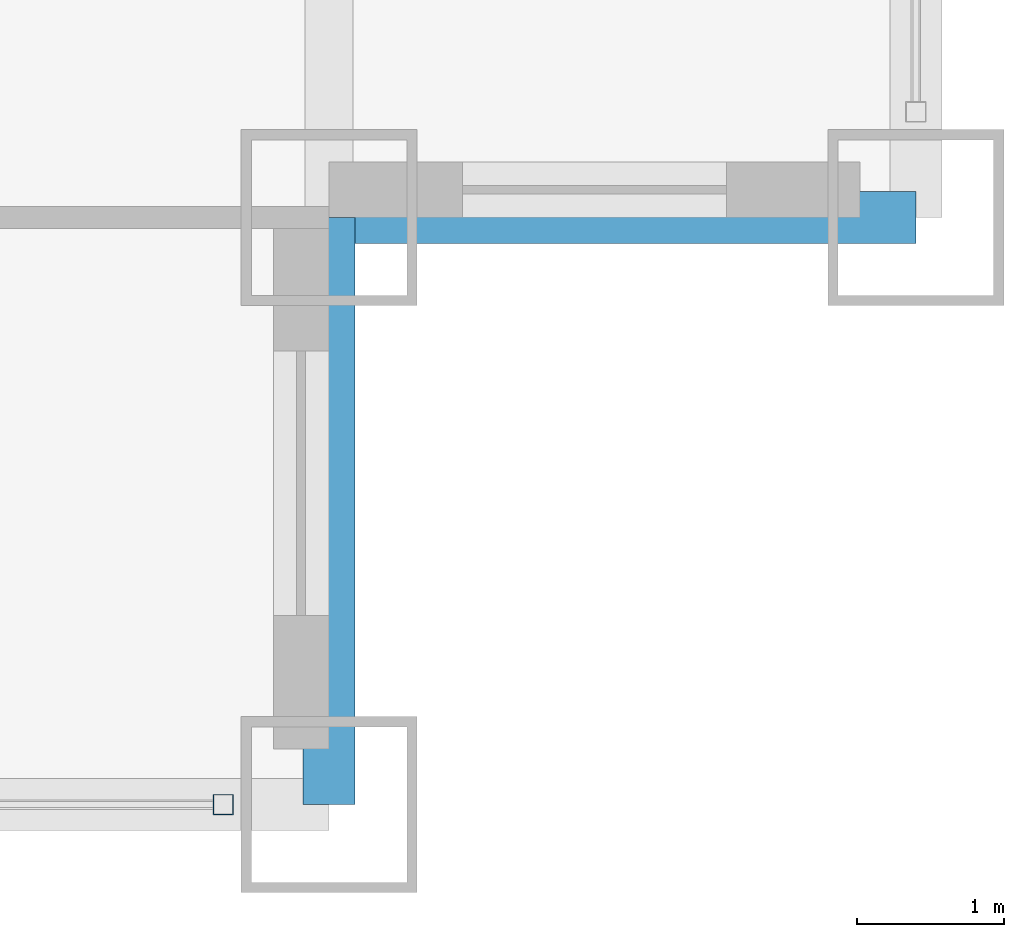
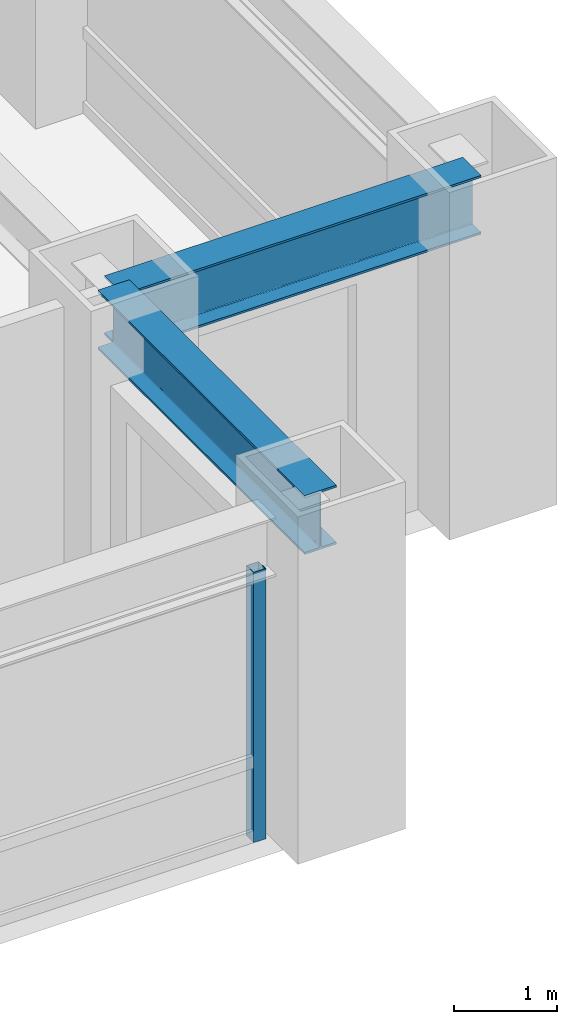
# One storey, part 6 of 27: 2 beams, 1 member, 1 element without a shape of its own.
"""IFC4 building model written with IfcOpenShell, lengths in metres."""

from ifc_helpers import new_model, si_unit, direction, frame, origin, origin_2d, place, context, subcontext, project, spatial, hollow_rectangle, i_section, extrude, source, transform, mapped, material, material_profile, profile_set, type_object, element, aggregate, save


model = new_model("IFC4")

# Units and contexts
model_context = context("Model", 3, precision=1e-05, world=origin(), true_north=direction((0.0, 1.0)))
body_context = subcontext(model_context, "Body", "Model", "MODEL_VIEW")
ifc_project = project(units=[si_unit("LENGTHUNIT", "METRE"), si_unit("AREAUNIT", "SQUARE_METRE"), si_unit("VOLUMEUNIT", "CUBIC_METRE"), si_unit("PLANEANGLEUNIT", "RADIAN"), si_unit("MASSUNIT", "GRAM", prefix="KILO")], contexts=[model_context])

# Site, building, storey
site_placement = place(None, origin())
site = spatial("IfcSite", under=ifc_project, at=site_placement, CompositionType="ELEMENT")
building_placement = place(site_placement, origin())
building = spatial("IfcBuilding", under=site, at=building_placement, Name="Khorayat Bourse Tower", CompositionType="ELEMENT")
storey_placement = place(building_placement, frame((0.0, 0.0, 140.60009765625)))
storey = spatial("IfcBuildingStorey", under=building, at=storey_placement, Name="L32", CompositionType="ELEMENT", Elevation=140.60009765625)

# Beams
ifc_material_1 = material(Name="Steel ASTM A992 Grade 50", Category="steel")
ifc_material_profile_1 = material_profile(ifc_material_1, i_section(OverallWidth=0.35498046875, OverallDepth=0.695068359375, WebThickness=0.015380859375, FlangeThickness=0.02490234375, FilletRadius=0.01806640625, at=origin_2d()), Name="W690X217")
ifc_profile_set_1 = profile_set([ifc_material_profile_1], Name="Steel ASTM A992 Grade 50")
beam_type = type_object("IfcBeamType", Name="BM-SPAN-690", PredefinedType="SPANDREL", material=ifc_profile_set_1)
shared_shape_1 = source(origin(), body_context, "Body", "SweptSolid", [
    extrude(i_section(OverallWidth=0.35498046875, OverallDepth=0.695068359375, WebThickness=0.015380859375, FlangeThickness=0.02490234375, FilletRadius=0.01806640625, at=origin_2d()), origin(), (0.0, 0.0, 1.0), 4.0),
])
for number, where, z_axis, x_axis, name in (
    (1, (28.0, -32.0, 3.492431640625), (0.0, 1.0, 0.0), (-1.0, 0.0, 0.0), "L32 BM-SPAN-690 BM-L32-SPN-032"),
    (2, (28.0, -28.0, 3.492431640625), (1.0, 0.0, 0.0), (0.0, 1.0, 0.0), "L32 BM-SPAN-690 BM-L32-SPN-033"),
):
    element("IfcBeam", number, at=place(storey_placement, frame(where, z_axis=z_axis, x_axis=x_axis)), inside=storey, type_object=beam_type, Name=name, PredefinedType="SPANDREL", context=body_context, shape_type="MappedRepresentation", body=[
        mapped(shared_shape_1, transform((0.0, 0.0, 0.0), scale=1.0)),
    ])

# Curtain wall, member
ifc_material_2 = material(Name="Aluminium EN AW-6063 T6", Category="aluminium")
curtain_wall_type = type_object("IfcCurtainWallType", Name="CW-SYS-02", PredefinedType="NOTDEFINED", material=ifc_material_2)
curtain_wall_placement = place(storey_placement, origin())
curtain_wall = element("IfcCurtainWall", 3, at=curtain_wall_placement, inside=storey, type_object=curtain_wall_type, Name="L32 Curtain Wall CW-L32-S1", PredefinedType="NOTDEFINED")
ifc_material_profile_2 = material_profile(ifc_material_2, hollow_rectangle(XDim=0.139892578125, YDim=0.139892578125, WallThickness=0.006103515625, at=origin_2d()), Name="ALU 140x140x6")
ifc_profile_set_2 = profile_set([ifc_material_profile_2], Name="Aluminium EN AW-6063 T6")
member_type = type_object("IfcMemberType", Name="CWM-VERT-140", PredefinedType="MULLION", material=ifc_profile_set_2)
shared_shape_2 = source(origin(), body_context, "Body", "SweptSolid", [
    extrude(hollow_rectangle(XDim=0.139892578125, YDim=0.139892578125, WallThickness=0.006103515625, at=origin_2d()), origin(), (0.0, 0.0, 1.0), 3.18994140625),
])
member_placement = place(storey_placement, frame((27.280029296875, -32.0, 0.0), z_axis=(0.0, 0.0, 1.0), x_axis=(0.0, 1.0, 0.0)))
member = element("IfcMember", 4, at=member_placement, type_object=member_type, Name="CW-L32-S1 Vertical Mullion 3", PredefinedType="MULLION", context=body_context, shape_type="MappedRepresentation", body=[
    mapped(shared_shape_2, transform((0.0, 0.0, 0.0), scale=1.0)),
])
aggregate(curtain_wall, [member])

save(model, "model.ifc")
